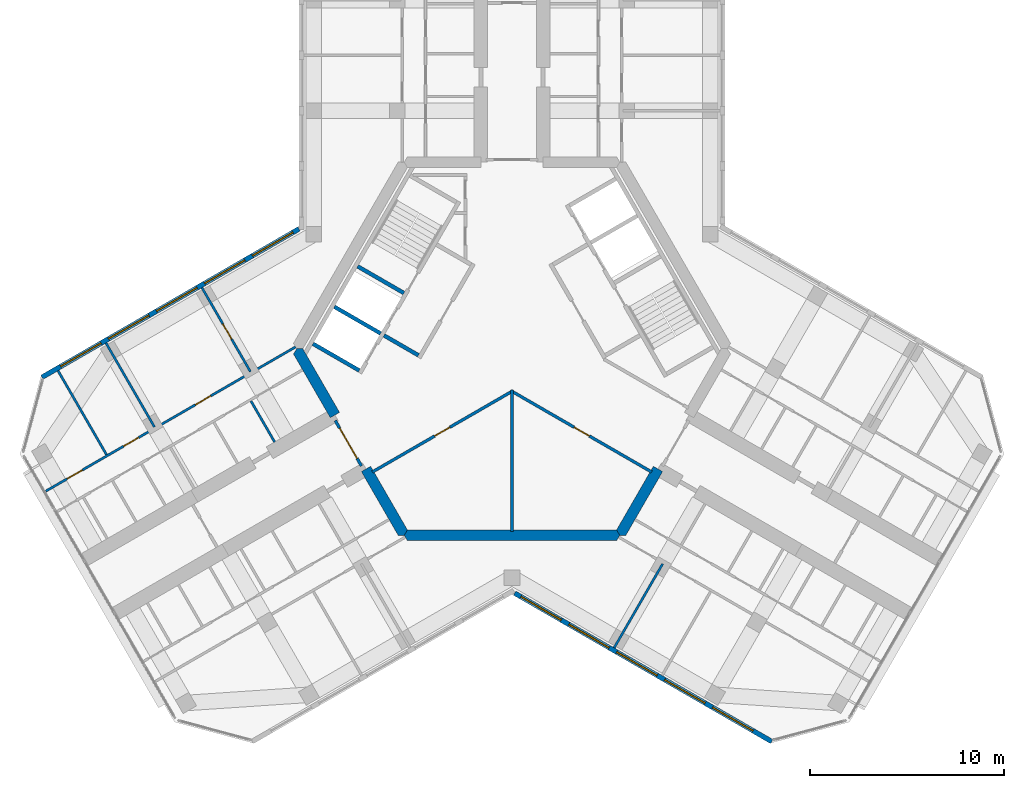
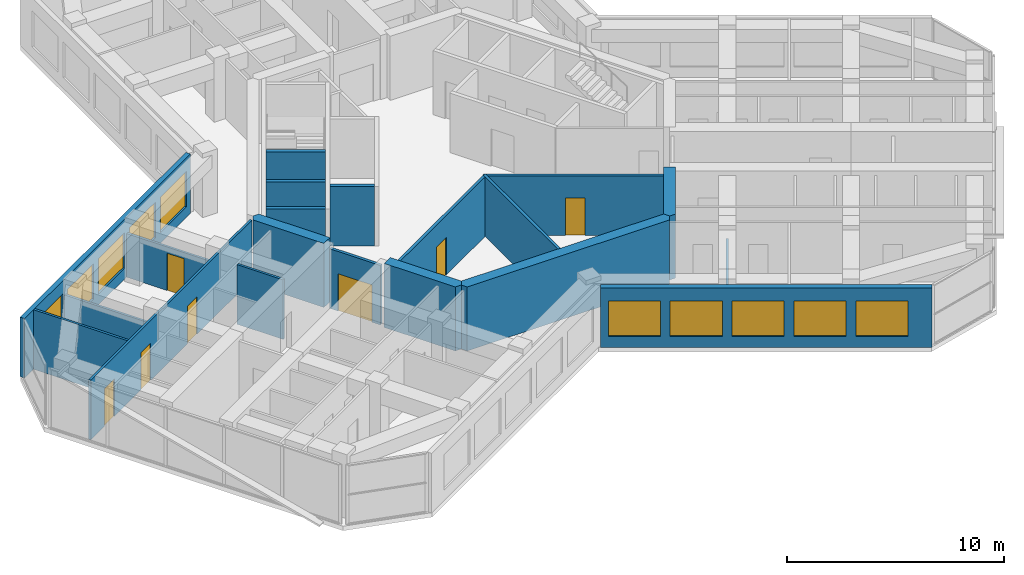
# One storey, part 8 of 14: 20 walls, 10 windows, 7 doors, 17 openings.
"""IFC4 building model written with IfcOpenShell, lengths in metres."""

from ifc_helpers import new_model, si_unit, direction, frame, frame_2d, origin, place, context, subcontext, project, spatial, polyline, rectangle, outline, extrude, material, layer, layer_set, type_object, element, fill, save


model = new_model("IFC4")

# Units and contexts
model_context = context("Model", 3, precision=1e-05, world=origin(), true_north=direction((0.0, 1.0)))
body_context = subcontext(model_context, "Body", "Model", "MODEL_VIEW")
ifc_project = project(units=[si_unit("LENGTHUNIT", "METRE"), si_unit("AREAUNIT", "SQUARE_METRE"), si_unit("VOLUMEUNIT", "CUBIC_METRE"), si_unit("PLANEANGLEUNIT", "RADIAN"), si_unit("MASSUNIT", "GRAM", prefix="KILO")], contexts=[model_context])

# Site, building, storey
site_placement = place(None, origin())
site = spatial("IfcSite", under=ifc_project, at=site_placement, CompositionType="ELEMENT")
building_placement = place(site_placement, origin())
building = spatial("IfcBuilding", under=site, at=building_placement, Name="Kosmar Iwan School Tower", CompositionType="ELEMENT")
storey_placement = place(building_placement, frame((0.0, 0.0, 281.800048828125)))
storey = spatial("IfcBuildingStorey", under=building, at=storey_placement, Name="L71", CompositionType="ELEMENT", Elevation=281.800048828125)

# Wall
ifc_material_1 = material(Name="Gypsum board on steel studs, fire-rated", Category="steel")
ifc_layer_1 = layer(ifc_material_1, 0.14990234375)
ifc_layer_set_1 = layer_set([ifc_layer_1], Name="Core room partition 150")
wall_type_1 = type_object("IfcWallType", Name="Core room partition 150", PredefinedType="PARTITIONING", material=ifc_layer_set_1)
wall_1_placement = place(storey_placement, frame((0.0, -9.39501953125, 0.0), z_axis=(0.0, 0.0, 1.0), x_axis=(0.0, 1.0, 0.0)))
element("IfcWall", 1, at=wall_1_placement, inside=storey, type_object=wall_type_1, Name="Core room partition L71-CW5", PredefinedType="PARTITIONING", context=body_context, shape_type="SweptSolid", body=[
    extrude(rectangle(XDim=7.276123046875, YDim=0.14990234375, at=frame_2d((3.63818359375, 0.0))), origin(), (0.0, 0.0, 1.0), 3.349853515625),
])

# Wall, opening, door
wall_2_placement = place(storey_placement, frame((-0.06494140625, -2.156494140625, 0.0), z_axis=(0.0, 0.0, 1.0), x_axis=(0.866023893041, -0.500002616675, 0.0)))
wall_2 = element("IfcWall", 2, at=wall_2_placement, inside=storey, type_object=wall_type_1, Name="Core room partition L71-CW6", PredefinedType="PARTITIONING", context=body_context, shape_type="SweptSolid", body=[
    extrude(rectangle(XDim=8.373046875, YDim=0.14990234375, at=frame_2d((4.1865234375, 0.0))), origin(), (0.0, 0.0, 1.0), 3.349853515625),
])
opening_1_placement = place(wall_2_placement, frame((3.77197265625, 0.0, 0.0)))
opening_1 = element("IfcOpeningElement", 3, at=opening_1_placement, cuts=wall_2, Name="Opening D14", PredefinedType="OPENING", context=body_context, shape_type="SweptSolid", body=[
    extrude(rectangle(XDim=0.89990234375, YDim=2.10009765625, at=frame_2d((0.449951171875, 1.050048828125))), frame((0.0, 0.0869140625, 0.0), z_axis=(0.0, -1.0, 0.0), x_axis=(1.0, 0.0, 0.0)), (0.0, 0.0, 1.0), 0.173828125),
])
ifc_material_2 = material(Name="Timber fire door in steel frame", Category="steel")
door_type_1 = type_object("IfcDoorType", Name="Core room door 900x2100", OperationType="SINGLE_SWING_LEFT", PredefinedType="DOOR", material=ifc_material_2)
door_1_placement = place(opening_1_placement, origin())
door_1 = element("IfcDoor", 4, at=door_1_placement, inside=storey, type_object=door_type_1, Name="Bicycle repair room door L71 3", OperationType="SINGLE_SWING_RIGHT", OverallHeight=2.10009765625, OverallWidth=0.89990234375, PredefinedType="DOOR", context=body_context, shape_type="SweptSolid", body=[
    extrude(rectangle(XDim=0.89990234375, YDim=2.10009765625, at=frame_2d((0.449951171875, 1.050048828125))), frame((0.0, 0.02490234375, 0.0), z_axis=(0.0, -1.0, 0.0), x_axis=(1.0, 0.0, 0.0)), (0.0, 0.0, 1.0), 0.050048828125),
])
fill(opening_1, door_1)

wall_3_placement = place(storey_placement, frame((-7.186279296875, -6.343017578125, 0.0), z_axis=(0.0, 0.0, 1.0), x_axis=(0.866023893041, 0.500002616675, 0.0)))
wall_3 = element("IfcWall", 5, at=wall_3_placement, inside=storey, type_object=wall_type_1, Name="Core room partition L71-CW7", PredefinedType="PARTITIONING", context=body_context, shape_type="SweptSolid", body=[
    extrude(rectangle(XDim=8.373046875, YDim=0.14990234375, at=frame_2d((4.1865234375, 0.0))), origin(), (0.0, 0.0, 1.0), 3.349853515625),
])
opening_2_placement = place(wall_3_placement, frame((3.701904296875, 0.0, 0.0)))
opening_2 = element("IfcOpeningElement", 6, at=opening_2_placement, cuts=wall_3, Name="Opening D14", PredefinedType="OPENING", context=body_context, shape_type="SweptSolid", body=[
    extrude(rectangle(XDim=0.89990234375, YDim=2.10009765625, at=frame_2d((0.449951171875, 1.050048828125))), frame((0.0, 0.0869140625, 0.0), z_axis=(0.0, -1.0, 0.0), x_axis=(1.0, 0.0, 0.0)), (0.0, 0.0, 1.0), 0.173828125),
])
door_2_placement = place(opening_2_placement, origin())
door_2 = element("IfcDoor", 7, at=door_2_placement, inside=storey, type_object=door_type_1, Name="Parcel room door L71 4", OperationType="SINGLE_SWING_LEFT", OverallHeight=2.10009765625, OverallWidth=0.89990234375, PredefinedType="DOOR", context=body_context, shape_type="SweptSolid", body=[
    extrude(rectangle(XDim=0.89990234375, YDim=2.10009765625, at=frame_2d((0.449951171875, 1.050048828125))), frame((0.0, 0.02490234375, 0.0), z_axis=(0.0, -1.0, 0.0), x_axis=(1.0, 0.0, 0.0)), (0.0, 0.0, 1.0), 0.050048828125),
])
fill(opening_2, door_2)

# Walls
ifc_material_3 = material(Name="Concrete C50/60", Category="concrete")
ifc_layer_2 = layer(ifc_material_3, 0.550048828125)
ifc_layer_set_2 = layer_set([ifc_layer_2], Name="Core wall 550")
wall_type_2 = type_object("IfcWallType", Name="Core wall 550", PredefinedType="SHEAR", material=ifc_layer_set_2)
wall_4_placement = place(storey_placement, origin())
element("IfcWall", 8, at=wall_4_placement, inside=storey, type_object=wall_type_2, Name="Core wall F210a", PredefinedType="SHEAR", context=body_context, shape_type="SweptSolid", body=[
    extrude(outline(polyline([(-9.35205078125, -3.5517578125), (-8.875732421875, -3.27685546875), (-10.767578125, 0.0), (-11.085205078125, 0.0), (-11.243896484375, -0.27490234375), (-9.35205078125, -3.5517578125)])), origin(), (0.0, 0.0, 1.0), 3.599853515625),
])
wall_5_placement = place(storey_placement, origin())
element("IfcWall", 9, at=wall_5_placement, inside=storey, type_object=wall_type_2, Name="Core wall F210b", PredefinedType="SHEAR", context=body_context, shape_type="SweptSolid", body=[
    extrude(outline(polyline([(-5.860107421875, -9.60009765625), (-5.54248046875, -9.60009765625), (-5.3837890625, -9.324951171875), (-7.275634765625, -6.048095703125), (-7.751953125, -6.3232421875), (-5.860107421875, -9.60009765625)])), origin(), (0.0, 0.0, 1.0), 3.599853515625),
])
wall_6_placement = place(storey_placement, origin())
element("IfcWall", 10, at=wall_6_placement, inside=storey, type_object=wall_type_2, Name="Core wall F270", PredefinedType="SHEAR", context=body_context, shape_type="SweptSolid", body=[
    extrude(outline(polyline([(-5.3837890625, -9.875), (5.3837890625, -9.875), (5.54248046875, -9.60009765625), (5.3837890625, -9.324951171875), (-5.3837890625, -9.324951171875), (-5.54248046875, -9.60009765625), (-5.3837890625, -9.875)])), origin(), (0.0, 0.0, 1.0), 3.599853515625),
])
wall_7_placement = place(storey_placement, origin())
element("IfcWall", 11, at=wall_7_placement, inside=storey, type_object=wall_type_2, Name="Core wall F330a", PredefinedType="SHEAR", context=body_context, shape_type="SweptSolid", body=[
    extrude(outline(polyline([(5.54248046875, -9.60009765625), (5.860107421875, -9.60009765625), (7.751953125, -6.3232421875), (7.275634765625, -6.048095703125), (5.3837890625, -9.324951171875), (5.54248046875, -9.60009765625)])), origin(), (0.0, 0.0, 1.0), 3.599853515625),
])

# Wall, opening, door
ifc_material_4 = material(Name="Steel framed glazed screen", Category="steel")
ifc_layer_3 = layer(ifc_material_4, 0.14990234375)
ifc_layer_set_3 = layer_set([ifc_layer_3], Name="Corridor screen wall 150")
wall_type_3 = type_object("IfcWallType", Name="Corridor screen wall 150", PredefinedType="PARTITIONING", material=ifc_layer_set_3)
wall_8_placement = place(storey_placement, frame((-9.09716796875, -3.693359375, 0.0), z_axis=(0.0, 0.0, 1.0), x_axis=(0.50000943426, -0.866019956843, 0.0)))
wall_8 = element("IfcWall", 12, at=wall_8_placement, inside=storey, type_object=wall_type_3, Name="Corridor screen B L71", PredefinedType="PARTITIONING", context=body_context, shape_type="SweptSolid", body=[
    extrude(rectangle(XDim=2.7001953125, YDim=0.14990234375, at=frame_2d((1.35009765625, 0.0))), origin(), (0.0, 0.0, 1.0), 3.349853515625),
])
opening_3_placement = place(wall_8_placement, frame((0.449951171875, 0.0, 0.0)))
opening_3 = element("IfcOpeningElement", 13, at=opening_3_placement, cuts=wall_8, Name="Opening D9", PredefinedType="OPENING", context=body_context, shape_type="SweptSolid", body=[
    extrude(rectangle(XDim=1.800048828125, YDim=2.10009765625, at=frame_2d((0.89990234375, 1.050048828125))), frame((0.0, 0.0869140625, 0.0), z_axis=(0.0, -1.0, 0.0), x_axis=(1.0, 0.0, 0.0)), (0.0, 0.0, 1.0), 0.173828125),
])
ifc_material_5 = material(Name="Steel framed glazed smoke door", Category="steel")
door_type_2 = type_object("IfcDoorType", Name="Corridor smoke door pair 1800x2100", OperationType="DOUBLE_DOOR_DOUBLE_SWING", PredefinedType="DOOR", material=ifc_material_5)
door_3_placement = place(opening_3_placement, origin())
door_3 = element("IfcDoor", 14, at=door_3_placement, inside=storey, type_object=door_type_2, Name="Corridor doors B L71", OperationType="DOUBLE_DOOR_DOUBLE_SWING", OverallHeight=2.10009765625, OverallWidth=1.800048828125, PredefinedType="DOOR", context=body_context, shape_type="SweptSolid", body=[
    extrude(rectangle(XDim=1.800048828125, YDim=2.10009765625, at=frame_2d((0.89990234375, 1.050048828125))), frame((0.0, 0.02490234375, 0.0), z_axis=(0.0, -1.0, 0.0), x_axis=(1.0, 0.0, 0.0)), (0.0, 0.0, 1.0), 0.050048828125),
])
fill(opening_3, door_3)

# Wall, openings, doors
ifc_material_6 = material(Name="Gypsum board on steel studs", Category="steel")
ifc_layer_4 = layer(ifc_material_6, 0.1201171875)
ifc_layer_set_4 = layer_set([ifc_layer_4], Name="Dwelling partition 120")
wall_type_4 = type_object("IfcWallType", Name="Dwelling partition 120", PredefinedType="PARTITIONING", material=ifc_layer_set_4)
wall_9_placement = place(storey_placement, frame((-11.138916015625, 0.093017578125, 0.0), z_axis=(0.0, 0.0, 1.0), x_axis=(-0.866030301974, -0.499991515992, 0.0)))
wall_9 = element("IfcWall", 15, at=wall_9_placement, inside=storey, type_object=wall_type_4, Name="Partition L71-BR1-W2", PredefinedType="PARTITIONING", context=body_context, shape_type="SweptSolid", body=[
    extrude(rectangle(XDim=14.844970703125, YDim=0.1201171875, at=frame_2d((7.42236328125, 0.0))), origin(), (0.0, 0.0, 1.0), 3.349853515625),
])
opening_4_placement = place(wall_9_placement, frame((5.050048828125, 0.0, 0.0)))
opening_4 = element("IfcOpeningElement", 16, at=opening_4_placement, cuts=wall_9, Name="Opening D2", PredefinedType="OPENING", context=body_context, shape_type="SweptSolid", body=[
    extrude(rectangle(XDim=0.89990234375, YDim=2.10009765625, at=frame_2d((0.449951171875, 1.050048828125))), frame((0.0, 0.072021484375, 0.0), z_axis=(0.0, -1.0, 0.0), x_axis=(1.0, 0.0, 0.0)), (0.0, 0.0, 1.0), 0.14404296875),
])
opening_5_placement = place(wall_9_placement, frame((9.324951171875, 0.0, 0.0)))
opening_5 = element("IfcOpeningElement", 17, at=opening_5_placement, cuts=wall_9, Name="Opening D2", PredefinedType="OPENING", context=body_context, shape_type="SweptSolid", body=[
    extrude(rectangle(XDim=0.89990234375, YDim=2.10009765625, at=frame_2d((0.449951171875, 1.050048828125))), frame((0.0, 0.072021484375, 0.0), z_axis=(0.0, -1.0, 0.0), x_axis=(1.0, 0.0, 0.0)), (0.0, 0.0, 1.0), 0.14404296875),
])
opening_6_placement = place(wall_9_placement, frame((12.675048828125, 0.0, 0.0)))
opening_6 = element("IfcOpeningElement", 18, at=opening_6_placement, cuts=wall_9, Name="Opening D2", PredefinedType="OPENING", context=body_context, shape_type="SweptSolid", body=[
    extrude(rectangle(XDim=0.89990234375, YDim=2.10009765625, at=frame_2d((0.449951171875, 1.050048828125))), frame((0.0, 0.072021484375, 0.0), z_axis=(0.0, -1.0, 0.0), x_axis=(1.0, 0.0, 0.0)), (0.0, 0.0, 1.0), 0.14404296875),
])
ifc_material_7 = material(Name="Timber door in timber frame", Category="wood")
door_type_3 = type_object("IfcDoorType", Name="Internal door 900x2100", OperationType="SINGLE_SWING_LEFT", PredefinedType="DOOR", material=ifc_material_7)
door_4_placement = place(opening_4_placement, origin())
door_4 = element("IfcDoor", 19, at=door_4_placement, inside=storey, type_object=door_type_3, Name="Living room door L71-BR1-F2", OperationType="SINGLE_SWING_LEFT", OverallHeight=2.10009765625, OverallWidth=0.89990234375, PredefinedType="DOOR", context=body_context, shape_type="SweptSolid", body=[
    extrude(rectangle(XDim=0.89990234375, YDim=2.10009765625, at=frame_2d((0.449951171875, 1.050048828125))), frame((0.0, 0.02490234375, 0.0), z_axis=(0.0, -1.0, 0.0), x_axis=(1.0, 0.0, 0.0)), (0.0, 0.0, 1.0), 0.050048828125),
])
fill(opening_4, door_4)
door_5_placement = place(opening_5_placement, origin())
door_5 = element("IfcDoor", 20, at=door_5_placement, inside=storey, type_object=door_type_3, Name="Dining room door L71-BR1-F3", OperationType="SINGLE_SWING_RIGHT", OverallHeight=2.10009765625, OverallWidth=0.89990234375, PredefinedType="DOOR", context=body_context, shape_type="SweptSolid", body=[
    extrude(rectangle(XDim=0.89990234375, YDim=2.10009765625, at=frame_2d((0.449951171875, 1.050048828125))), frame((0.0, 0.02490234375, 0.0), z_axis=(0.0, -1.0, 0.0), x_axis=(1.0, 0.0, 0.0)), (0.0, 0.0, 1.0), 0.050048828125),
])
fill(opening_5, door_5)
door_6_placement = place(opening_6_placement, origin())
door_6 = element("IfcDoor", 21, at=door_6_placement, inside=storey, type_object=door_type_3, Name="Bedroom 1 door L71-BR1-F4", OperationType="SINGLE_SWING_RIGHT", OverallHeight=2.10009765625, OverallWidth=0.89990234375, PredefinedType="DOOR", context=body_context, shape_type="SweptSolid", body=[
    extrude(rectangle(XDim=0.89990234375, YDim=2.10009765625, at=frame_2d((0.449951171875, 1.050048828125))), frame((0.0, 0.02490234375, 0.0), z_axis=(0.0, -1.0, 0.0), x_axis=(1.0, 0.0, 0.0)), (0.0, 0.0, 1.0), 0.050048828125),
])
fill(opening_6, door_6)

# Wall, opening, door
wall_10_placement = place(storey_placement, frame((-13.4638671875, -1.179931640625, 0.0), z_axis=(0.0, 0.0, 1.0), x_axis=(-0.499975153383, 0.86603974851, 0.0)))
wall_10 = element("IfcWall", 22, at=wall_10_placement, inside=storey, type_object=wall_type_4, Name="Partition L71-BR1-X1", PredefinedType="PARTITIONING", context=body_context, shape_type="SweptSolid", body=[
    extrude(rectangle(XDim=4.989990234375, YDim=0.1201171875, at=frame_2d((2.4951171875, 0.0))), origin(), (0.0, 0.0, 1.0), 2.449951171875),
])
opening_7_placement = place(wall_10_placement, frame((1.93994140625, 0.0, 0.0)))
opening_7 = element("IfcOpeningElement", 23, at=opening_7_placement, cuts=wall_10, Name="Opening D2", PredefinedType="OPENING", context=body_context, shape_type="SweptSolid", body=[
    extrude(rectangle(XDim=0.89990234375, YDim=2.10009765625, at=frame_2d((0.449951171875, 1.050048828125))), frame((0.0, 0.072021484375, 0.0), z_axis=(0.0, -1.0, 0.0), x_axis=(1.0, 0.0, 0.0)), (0.0, 0.0, 1.0), 0.14404296875),
])
door_7_placement = place(opening_7_placement, origin())
door_7 = element("IfcDoor", 24, at=door_7_placement, inside=storey, type_object=door_type_3, Name="Kitchen and dining room door L71-BR1-F1", OperationType="SINGLE_SWING_LEFT", OverallHeight=2.10009765625, OverallWidth=0.89990234375, PredefinedType="DOOR", context=body_context, shape_type="SweptSolid", body=[
    extrude(rectangle(XDim=0.89990234375, YDim=2.10009765625, at=frame_2d((0.449951171875, 1.050048828125))), frame((0.0, 0.02490234375, 0.0), z_axis=(0.0, -1.0, 0.0), x_axis=(1.0, 0.0, 0.0)), (0.0, 0.0, 1.0), 0.050048828125),
])
fill(opening_7, door_7)

# Walls
wall_11_placement = place(storey_placement, frame((-18.400146484375, -4.030029296875, 0.0), z_axis=(0.0, 0.0, 1.0), x_axis=(-0.500011847778, 0.866018563358, 0.0)))
element("IfcWall", 25, at=wall_11_placement, inside=storey, type_object=wall_type_4, Name="Partition L71-BR1-X2", PredefinedType="PARTITIONING", context=body_context, shape_type="SweptSolid", body=[
    extrude(rectangle(XDim=4.990234375, YDim=0.1201171875, at=frame_2d((2.4951171875, 0.0))), origin(), (0.0, 0.0, 1.0), 2.449951171875),
])
wall_12_placement = place(storey_placement, frame((-20.868408203125, -5.455078125, 0.0), z_axis=(0.0, 0.0, 1.0), x_axis=(-0.499975153383, 0.86603974851, 0.0)))
element("IfcWall", 26, at=wall_12_placement, inside=storey, type_object=wall_type_4, Name="Partition L71-BR1-X3", PredefinedType="PARTITIONING", context=body_context, shape_type="SweptSolid", body=[
    extrude(rectangle(XDim=4.989990234375, YDim=0.1201171875, at=frame_2d((2.4951171875, 0.0))), origin(), (0.0, 0.0, 1.0), 3.349853515625),
])
wall_13_placement = place(storey_placement, frame((-12.216064453125, -4.80126953125, 0.0), z_axis=(0.0, 0.0, 1.0), x_axis=(-0.500002508028, 0.866023955769, 0.0)))
element("IfcWall", 27, at=wall_13_placement, inside=storey, type_object=wall_type_4, Name="Partition L71-BR1-Y1", PredefinedType="PARTITIONING", context=body_context, shape_type="SweptSolid", body=[
    extrude(rectangle(XDim=2.43994140625, YDim=0.1201171875, at=frame_2d((1.219970703125, 0.0))), origin(), (0.0, 0.0, 1.0), 3.349853515625),
])
wall_14_placement = place(storey_placement, frame((7.75390625, -11.070068359375, 0.0), z_axis=(0.0, 0.0, 1.0), x_axis=(-0.500011847778, -0.866018563358, 0.0)))
element("IfcWall", 28, at=wall_14_placement, inside=storey, type_object=wall_type_4, Name="Partition L71-CR1-X1", PredefinedType="PARTITIONING", context=body_context, shape_type="SweptSolid", body=[
    extrude(rectangle(XDim=4.990234375, YDim=0.1201171875, at=frame_2d((2.4951171875, 0.0))), origin(), (0.0, 0.0, 1.0), 2.449951171875),
])

# Wall, openings, windows
ifc_material_8 = material(Name="Black aluminium rainscreen on insulated framing", Category="aluminium")
ifc_layer_5 = layer(ifc_material_8, 0.25)
ifc_layer_set_5 = layer_set([ifc_layer_5], Name="External wall rainscreen 250")
wall_type_5 = type_object("IfcWallType", Name="External wall rainscreen 250", PredefinedType="SOLIDWALL", material=ifc_layer_set_5)
wall_15_placement = place(storey_placement, frame((0.137939453125, -12.5791015625, 0.0), z_axis=(0.0, 0.0, 1.0), x_axis=(0.866025637253, -0.499999595621, 0.0)))
wall_15 = element("IfcWall", 29, at=wall_15_placement, inside=storey, type_object=wall_type_5, Name="External wall CR L71", PredefinedType="SOLIDWALL", context=body_context, shape_type="SweptSolid", body=[
    extrude(rectangle(XDim=15.2763671875, YDim=0.25, at=frame_2d((7.63818359375, 0.0))), origin(), (0.0, 0.0, 1.0), 3.349853515625),
])
opening_8_placement = place(wall_15_placement, frame((0.365966796875, 0.0, 0.60009765625)))
opening_8 = element("IfcOpeningElement", 30, at=opening_8_placement, cuts=wall_15, Name="Opening W6", PredefinedType="OPENING", context=body_context, shape_type="SweptSolid", body=[
    extrude(rectangle(XDim=2.39990234375, YDim=2.0, at=frame_2d((1.199951171875, 1.0))), frame((0.0, 0.136962890625, 0.0), z_axis=(0.0, -1.0, 0.0), x_axis=(1.0, 0.0, 0.0)), (0.0, 0.0, 1.0), 0.27392578125),
])
opening_9_placement = place(wall_15_placement, frame((3.216064453125, 0.0, 0.60009765625)))
opening_9 = element("IfcOpeningElement", 31, at=opening_9_placement, cuts=wall_15, Name="Opening W6", PredefinedType="OPENING", context=body_context, shape_type="SweptSolid", body=[
    extrude(rectangle(XDim=2.39990234375, YDim=2.0, at=frame_2d((1.199951171875, 1.0))), frame((0.0, 0.136962890625, 0.0), z_axis=(0.0, -1.0, 0.0), x_axis=(1.0, 0.0, 0.0)), (0.0, 0.0, 1.0), 0.27392578125),
])
opening_10_placement = place(wall_15_placement, frame((6.06591796875, 0.0, 0.60009765625)))
opening_10 = element("IfcOpeningElement", 32, at=opening_10_placement, cuts=wall_15, Name="Opening W6", PredefinedType="OPENING", context=body_context, shape_type="SweptSolid", body=[
    extrude(rectangle(XDim=2.39990234375, YDim=2.0, at=frame_2d((1.199951171875, 1.0))), frame((0.0, 0.136962890625, 0.0), z_axis=(0.0, -1.0, 0.0), x_axis=(1.0, 0.0, 0.0)), (0.0, 0.0, 1.0), 0.27392578125),
])
opening_11_placement = place(wall_15_placement, frame((8.916015625, 0.0, 0.60009765625)))
opening_11 = element("IfcOpeningElement", 33, at=opening_11_placement, cuts=wall_15, Name="Opening W6", PredefinedType="OPENING", context=body_context, shape_type="SweptSolid", body=[
    extrude(rectangle(XDim=2.39990234375, YDim=2.0, at=frame_2d((1.199951171875, 1.0))), frame((0.0, 0.136962890625, 0.0), z_axis=(0.0, -1.0, 0.0), x_axis=(1.0, 0.0, 0.0)), (0.0, 0.0, 1.0), 0.27392578125),
])
opening_12_placement = place(wall_15_placement, frame((11.76611328125, 0.0, 0.60009765625)))
opening_12 = element("IfcOpeningElement", 34, at=opening_12_placement, cuts=wall_15, Name="Opening W6", PredefinedType="OPENING", context=body_context, shape_type="SweptSolid", body=[
    extrude(rectangle(XDim=2.39990234375, YDim=2.0, at=frame_2d((1.199951171875, 1.0))), frame((0.0, 0.136962890625, 0.0), z_axis=(0.0, -1.0, 0.0), x_axis=(1.0, 0.0, 0.0)), (0.0, 0.0, 1.0), 0.27392578125),
])
ifc_material_9 = material(Name="Black aluminium frame with dark triple glazing", Category="aluminium")
window_type = type_object("IfcWindowType", Name="Window 2400x2000", PartitioningType="SINGLE_PANEL", PredefinedType="WINDOW", material=ifc_material_9)
window_1_placement = place(opening_8_placement, origin())
window_1 = element("IfcWindow", 35, at=window_1_placement, inside=storey, type_object=window_type, Name="Window CR L71 -1", OverallHeight=2.0, OverallWidth=2.39990234375, PartitioningType="SINGLE_PANEL", PredefinedType="WINDOW", context=body_context, shape_type="SweptSolid", body=[
    extrude(rectangle(XDim=2.39990234375, YDim=2.0, at=frame_2d((1.199951171875, 1.0))), frame((0.0, 0.030029296875, 0.0), z_axis=(0.0, -1.0, 0.0), x_axis=(1.0, 0.0, 0.0)), (0.0, 0.0, 1.0), 0.06005859375),
])
fill(opening_8, window_1)
window_2_placement = place(opening_9_placement, origin())
window_2 = element("IfcWindow", 36, at=window_2_placement, inside=storey, type_object=window_type, Name="Window CR L71 0", OverallHeight=2.0, OverallWidth=2.39990234375, PartitioningType="SINGLE_PANEL", PredefinedType="WINDOW", context=body_context, shape_type="SweptSolid", body=[
    extrude(rectangle(XDim=2.39990234375, YDim=2.0, at=frame_2d((1.199951171875, 1.0))), frame((0.0, 0.030029296875, 0.0), z_axis=(0.0, -1.0, 0.0), x_axis=(1.0, 0.0, 0.0)), (0.0, 0.0, 1.0), 0.06005859375),
])
fill(opening_9, window_2)
window_3_placement = place(opening_10_placement, origin())
window_3 = element("IfcWindow", 37, at=window_3_placement, inside=storey, type_object=window_type, Name="Window CR L71 1", OverallHeight=2.0, OverallWidth=2.39990234375, PartitioningType="SINGLE_PANEL", PredefinedType="WINDOW", context=body_context, shape_type="SweptSolid", body=[
    extrude(rectangle(XDim=2.39990234375, YDim=2.0, at=frame_2d((1.199951171875, 1.0))), frame((0.0, 0.030029296875, 0.0), z_axis=(0.0, -1.0, 0.0), x_axis=(1.0, 0.0, 0.0)), (0.0, 0.0, 1.0), 0.06005859375),
])
fill(opening_10, window_3)
window_4_placement = place(opening_11_placement, origin())
window_4 = element("IfcWindow", 38, at=window_4_placement, inside=storey, type_object=window_type, Name="Window CR L71 2", OverallHeight=2.0, OverallWidth=2.39990234375, PartitioningType="SINGLE_PANEL", PredefinedType="WINDOW", context=body_context, shape_type="SweptSolid", body=[
    extrude(rectangle(XDim=2.39990234375, YDim=2.0, at=frame_2d((1.199951171875, 1.0))), frame((0.0, 0.030029296875, 0.0), z_axis=(0.0, -1.0, 0.0), x_axis=(1.0, 0.0, 0.0)), (0.0, 0.0, 1.0), 0.06005859375),
])
fill(opening_11, window_4)
window_5_placement = place(opening_12_placement, origin())
window_5 = element("IfcWindow", 39, at=window_5_placement, inside=storey, type_object=window_type, Name="Window CR L71 3", OverallHeight=2.0, OverallWidth=2.39990234375, PartitioningType="SINGLE_PANEL", PredefinedType="WINDOW", context=body_context, shape_type="SweptSolid", body=[
    extrude(rectangle(XDim=2.39990234375, YDim=2.0, at=frame_2d((1.199951171875, 1.0))), frame((0.0, 0.030029296875, 0.0), z_axis=(0.0, -1.0, 0.0), x_axis=(1.0, 0.0, 0.0)), (0.0, 0.0, 1.0), 0.06005859375),
])
fill(opening_12, window_5)

wall_16_placement = place(storey_placement, frame((-10.962890625, 6.170166015625, 0.0), z_axis=(0.0, 0.0, 1.0), x_axis=(-0.866025637253, -0.499999595621, 0.0)))
wall_16 = element("IfcWall", 40, at=wall_16_placement, inside=storey, type_object=wall_type_5, Name="External wall BR L71", PredefinedType="SOLIDWALL", context=body_context, shape_type="SweptSolid", body=[
    extrude(rectangle(XDim=15.2763671875, YDim=0.25, at=frame_2d((7.63818359375, 0.0))), origin(), (0.0, 0.0, 1.0), 3.349853515625),
])
opening_13_placement = place(wall_16_placement, frame((0.365966796875, 0.0, 0.60009765625)))
opening_13 = element("IfcOpeningElement", 41, at=opening_13_placement, cuts=wall_16, Name="Opening W6", PredefinedType="OPENING", context=body_context, shape_type="SweptSolid", body=[
    extrude(rectangle(XDim=2.39990234375, YDim=2.0, at=frame_2d((1.199951171875, 1.0))), frame((0.0, 0.136962890625, 0.0), z_axis=(0.0, -1.0, 0.0), x_axis=(1.0, 0.0, 0.0)), (0.0, 0.0, 1.0), 0.27392578125),
])
opening_14_placement = place(wall_16_placement, frame((3.216064453125, 0.0, 0.60009765625)))
opening_14 = element("IfcOpeningElement", 42, at=opening_14_placement, cuts=wall_16, Name="Opening W6", PredefinedType="OPENING", context=body_context, shape_type="SweptSolid", body=[
    extrude(rectangle(XDim=2.39990234375, YDim=2.0, at=frame_2d((1.199951171875, 1.0))), frame((0.0, 0.136962890625, 0.0), z_axis=(0.0, -1.0, 0.0), x_axis=(1.0, 0.0, 0.0)), (0.0, 0.0, 1.0), 0.27392578125),
])
opening_15_placement = place(wall_16_placement, frame((6.06591796875, 0.0, 0.60009765625)))
opening_15 = element("IfcOpeningElement", 43, at=opening_15_placement, cuts=wall_16, Name="Opening W6", PredefinedType="OPENING", context=body_context, shape_type="SweptSolid", body=[
    extrude(rectangle(XDim=2.39990234375, YDim=2.0, at=frame_2d((1.199951171875, 1.0))), frame((0.0, 0.136962890625, 0.0), z_axis=(0.0, -1.0, 0.0), x_axis=(1.0, 0.0, 0.0)), (0.0, 0.0, 1.0), 0.27392578125),
])
opening_16_placement = place(wall_16_placement, frame((8.916015625, 0.0, 0.60009765625)))
opening_16 = element("IfcOpeningElement", 44, at=opening_16_placement, cuts=wall_16, Name="Opening W6", PredefinedType="OPENING", context=body_context, shape_type="SweptSolid", body=[
    extrude(rectangle(XDim=2.39990234375, YDim=2.0, at=frame_2d((1.199951171875, 1.0))), frame((0.0, 0.136962890625, 0.0), z_axis=(0.0, -1.0, 0.0), x_axis=(1.0, 0.0, 0.0)), (0.0, 0.0, 1.0), 0.27392578125),
])
opening_17_placement = place(wall_16_placement, frame((11.76611328125, 0.0, 0.60009765625)))
opening_17 = element("IfcOpeningElement", 45, at=opening_17_placement, cuts=wall_16, Name="Opening W6", PredefinedType="OPENING", context=body_context, shape_type="SweptSolid", body=[
    extrude(rectangle(XDim=2.39990234375, YDim=2.0, at=frame_2d((1.199951171875, 1.0))), frame((0.0, 0.136962890625, 0.0), z_axis=(0.0, -1.0, 0.0), x_axis=(1.0, 0.0, 0.0)), (0.0, 0.0, 1.0), 0.27392578125),
])
window_6_placement = place(opening_13_placement, origin())
window_6 = element("IfcWindow", 46, at=window_6_placement, inside=storey, type_object=window_type, Name="Window BR L71 -1", OverallHeight=2.0, OverallWidth=2.39990234375, PartitioningType="SINGLE_PANEL", PredefinedType="WINDOW", context=body_context, shape_type="SweptSolid", body=[
    extrude(rectangle(XDim=2.39990234375, YDim=2.0, at=frame_2d((1.199951171875, 1.0))), frame((0.0, 0.030029296875, 0.0), z_axis=(0.0, -1.0, 0.0), x_axis=(1.0, 0.0, 0.0)), (0.0, 0.0, 1.0), 0.06005859375),
])
fill(opening_13, window_6)
window_7_placement = place(opening_14_placement, origin())
window_7 = element("IfcWindow", 47, at=window_7_placement, inside=storey, type_object=window_type, Name="Window BR L71 0", OverallHeight=2.0, OverallWidth=2.39990234375, PartitioningType="SINGLE_PANEL", PredefinedType="WINDOW", context=body_context, shape_type="SweptSolid", body=[
    extrude(rectangle(XDim=2.39990234375, YDim=2.0, at=frame_2d((1.199951171875, 1.0))), frame((0.0, 0.030029296875, 0.0), z_axis=(0.0, -1.0, 0.0), x_axis=(1.0, 0.0, 0.0)), (0.0, 0.0, 1.0), 0.06005859375),
])
fill(opening_14, window_7)
window_8_placement = place(opening_15_placement, origin())
window_8 = element("IfcWindow", 48, at=window_8_placement, inside=storey, type_object=window_type, Name="Window BR L71 1", OverallHeight=2.0, OverallWidth=2.39990234375, PartitioningType="SINGLE_PANEL", PredefinedType="WINDOW", context=body_context, shape_type="SweptSolid", body=[
    extrude(rectangle(XDim=2.39990234375, YDim=2.0, at=frame_2d((1.199951171875, 1.0))), frame((0.0, 0.030029296875, 0.0), z_axis=(0.0, -1.0, 0.0), x_axis=(1.0, 0.0, 0.0)), (0.0, 0.0, 1.0), 0.06005859375),
])
fill(opening_15, window_8)
window_9_placement = place(opening_16_placement, origin())
window_9 = element("IfcWindow", 49, at=window_9_placement, inside=storey, type_object=window_type, Name="Window BR L71 2", OverallHeight=2.0, OverallWidth=2.39990234375, PartitioningType="SINGLE_PANEL", PredefinedType="WINDOW", context=body_context, shape_type="SweptSolid", body=[
    extrude(rectangle(XDim=2.39990234375, YDim=2.0, at=frame_2d((1.199951171875, 1.0))), frame((0.0, 0.030029296875, 0.0), z_axis=(0.0, -1.0, 0.0), x_axis=(1.0, 0.0, 0.0)), (0.0, 0.0, 1.0), 0.06005859375),
])
fill(opening_16, window_9)
window_10_placement = place(opening_17_placement, origin())
window_10 = element("IfcWindow", 50, at=window_10_placement, inside=storey, type_object=window_type, Name="Window BR L71 3", OverallHeight=2.0, OverallWidth=2.39990234375, PartitioningType="SINGLE_PANEL", PredefinedType="WINDOW", context=body_context, shape_type="SweptSolid", body=[
    extrude(rectangle(XDim=2.39990234375, YDim=2.0, at=frame_2d((1.199951171875, 1.0))), frame((0.0, 0.030029296875, 0.0), z_axis=(0.0, -1.0, 0.0), x_axis=(1.0, 0.0, 0.0)), (0.0, 0.0, 1.0), 0.06005859375),
])
fill(opening_17, window_10)

# Walls
ifc_material_10 = material(Name="Concrete block masonry", Category="masonry")
ifc_layer_6 = layer(ifc_material_10, 0.199951171875)
ifc_layer_set_6 = layer_set([ifc_layer_6], Name="Fire lobby wall 200")
wall_type_6 = type_object("IfcWallType", Name="Fire lobby wall 200", PredefinedType="PARTITIONING", material=ifc_layer_set_6)
wall_17_placement = place(storey_placement, frame((-4.814208984375, -0.33837890625, 0.0), z_axis=(0.0, 0.0, 1.0), x_axis=(-0.865969381856, 0.500097020274, 0.0)))
element("IfcWall", 51, at=wall_17_placement, inside=storey, type_object=wall_type_6, Name="Firefighting lobby wall ST2", PredefinedType="PARTITIONING", context=body_context, shape_type="SweptSolid", body=[
    extrude(rectangle(XDim=2.0498046875, YDim=0.199951171875, at=frame_2d((1.02490234375, 0.0))), origin(), (0.0, 0.0, 1.0), 3.349853515625),
])
ifc_material_11 = material(Name="Concrete C50/60", Category="concrete")
ifc_layer_7 = layer(ifc_material_11, 0.199951171875)
ifc_layer_set_7 = layer_set([ifc_layer_7], Name="Lift shaft wall 200")
wall_type_7 = type_object("IfcWallType", Name="Lift shaft wall 200", PredefinedType="SHEAR", material=ifc_layer_set_7)
for number, where, z_axis, x_axis, name in (
    (52, (-6.7626953125, 0.78662109375, 0.0), (0.0, 0.0, 1.0), (-0.866027397988, 0.499996545922, 0.0), "Lift shaft wall AB 1"),
    (53, (-7.862548828125, -1.118408203125, 0.0), (0.0, 0.0, 1.0), (-0.866027397988, 0.499996545922, 0.0), "Lift shaft wall AB 2"),
):
    element("IfcWall", number, at=place(storey_placement, frame(where, z_axis=z_axis, x_axis=x_axis)), inside=storey, type_object=wall_type_7, Name=name, PredefinedType="SHEAR", context=body_context, shape_type="SweptSolid", body=[
        extrude(rectangle(XDim=2.75, YDim=0.199951171875, at=frame_2d((1.375, 0.0))), origin(), (0.0, 0.0, 1.0), 3.599853515625),
    ])
ifc_material_12 = material(Name="Concrete C50/60", Category="concrete")
ifc_layer_8 = layer(ifc_material_12, 0.199951171875)
ifc_layer_set_8 = layer_set([ifc_layer_8], Name="Stair enclosure wall 200")
wall_type_8 = type_object("IfcWallType", Name="Stair enclosure wall 200", PredefinedType="SHEAR", material=ifc_layer_set_8)
wall_18_placement = place(storey_placement, frame((-5.562744140625, 2.865234375, 0.0), z_axis=(0.0, 0.0, 1.0), x_axis=(-0.866027397988, 0.499996545922, 0.0)))
element("IfcWall", 54, at=wall_18_placement, inside=storey, type_object=wall_type_8, Name="Stair ST2 wall", PredefinedType="SHEAR", context=body_context, shape_type="SweptSolid", body=[
    extrude(rectangle(XDim=2.75, YDim=0.199951171875, at=frame_2d((1.375, 0.0))), origin(), (0.0, 0.0, 1.0), 3.599853515625),
])

save(model, "model.ifc")
